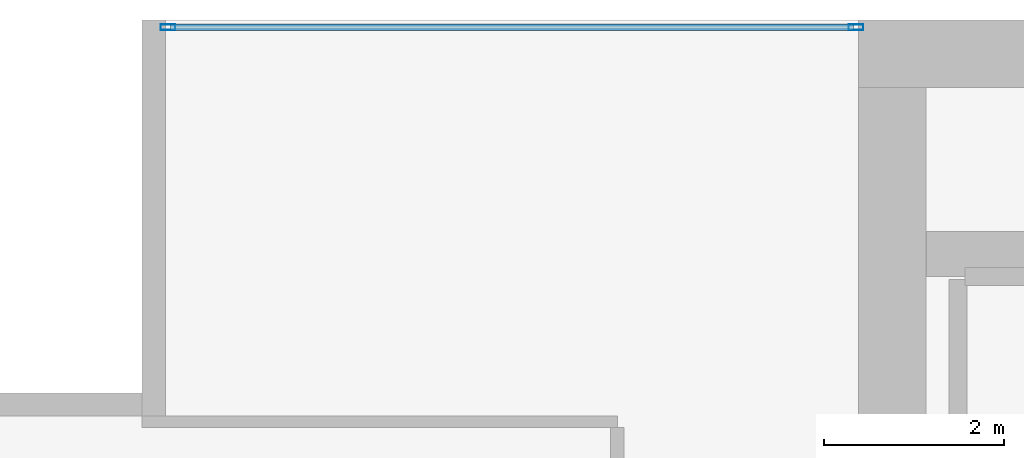
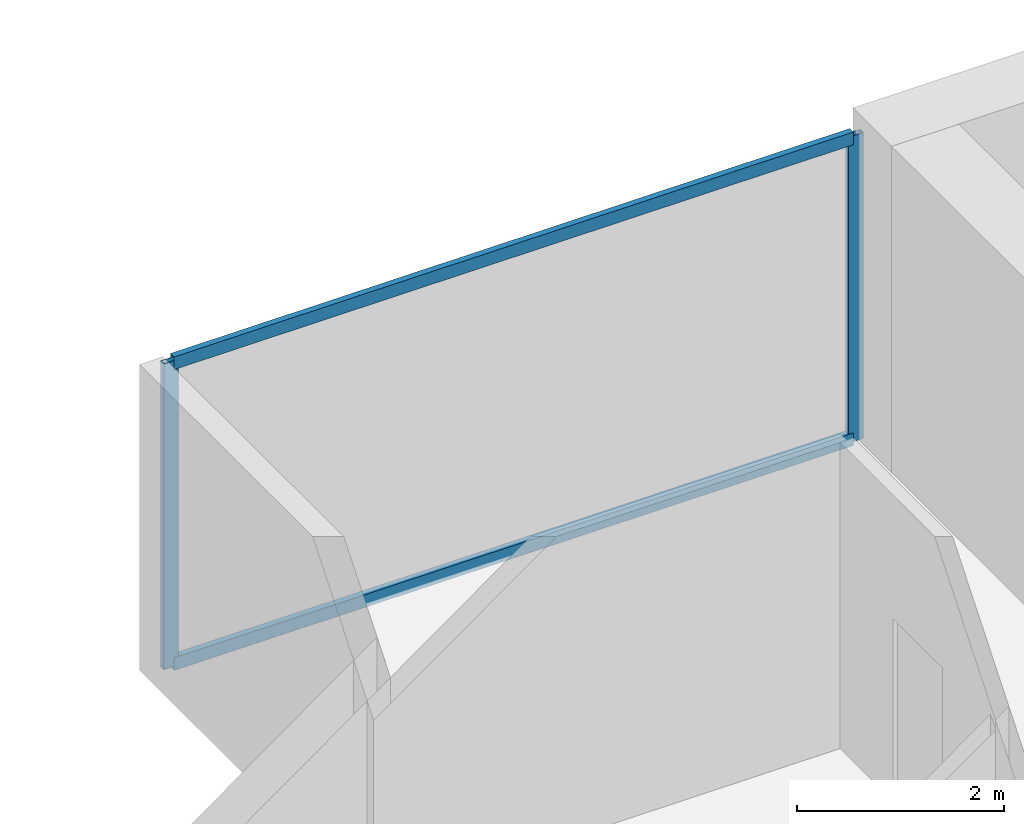
# One storey, part 22 of 34: 4 members, 1 element without a shape of its own.
"""IFC4 building model written with IfcOpenShell, lengths in metres."""

import ifcopenshell
import ifcopenshell.guid

model = None  # the IFC model being written
_history = None  # IfcOwnerHistory: only IFC2X3 demands one
_inside = {}  # id of a spatial element -> (the spatial element, [elements in it])
_under = {}  # id of a project, library or spatial element -> (it, [spatial elements below it])
_declared = {}  # id of a project -> (the project, [libraries it declares])
_typed = {}  # id of a type object -> (the type object, [elements of that type])
_made_of = {}  # id of a material, layer set ... -> (it, [elements and type objects made of it])


def new_model(schema):
    """Start an empty IFC model of exactly this schema.

    Asked for "IFC4X3", IfcOpenShell would pick the latest addendum, in which some entities
    have other attributes; the version numbers below select the first issue.
    IFC2X3 requires an IfcOwnerHistory on every rooted entity: one is made here for all.
    """
    global model, _history
    if schema == "IFC4X3":
        model = ifcopenshell.file(schema_version=(4, 3, 0, 0))
    else:
        model = ifcopenshell.file(schema=schema)
    _inside.clear()
    _under.clear()
    _declared.clear()
    _typed.clear()
    _made_of.clear()
    _history = None
    if model.schema == "IFC2X3":
        org = make("IfcOrganization", Name="unknown")
        user = make(
            "IfcPersonAndOrganization",
            ThePerson=make("IfcPerson", FamilyName="unknown"),
            TheOrganization=org,
        )
        app = make(
            "IfcApplication",
            ApplicationDeveloper=org,
            Version="unknown",
            ApplicationFullName="unknown",
            ApplicationIdentifier="unknown",
        )
        _history = make(
            "IfcOwnerHistory",
            OwningUser=user,
            OwningApplication=app,
            ChangeAction="ADDED",
            CreationDate=0,
        )
    return model


def make(cls, **values):
    """One entity of the class cls with the attributes given. An attribute that is None is left unset."""
    return model.create_entity(
        cls, **{name: value for name, value in values.items() if value is not None}
    )


def rooted(cls, **values):
    """An entity with a GlobalId (a new one), such as an element, a storey or a relation."""
    return make(cls, GlobalId=ifcopenshell.guid.new(), OwnerHistory=_history, **values)


def si_unit(unit_type, name, prefix=None):
    """IfcSIUnit, for example si_unit("LENGTHUNIT", "METRE", prefix="MILLI")."""
    return make("IfcSIUnit", UnitType=unit_type, Prefix=prefix, Name=name)


def assignment(units):
    """IfcUnitAssignment: the units of a project."""
    return None if units is None else make("IfcUnitAssignment", Units=units)


def point(xyz):
    """IfcCartesianPoint."""
    return None if xyz is None else make("IfcCartesianPoint", Coordinates=xyz)


def direction(xyz):
    """IfcDirection."""
    return None if xyz is None else make("IfcDirection", DirectionRatios=xyz)


def frame(location, z_axis=None, x_axis=None):
    """IfcAxis2Placement3D, a coordinate frame: its origin and axes. An axis left out is left unset."""
    return make(
        "IfcAxis2Placement3D",
        Location=point(location),
        Axis=direction(z_axis),
        RefDirection=direction(x_axis),
    )


def frame_2d(location, x_axis=None):
    """IfcAxis2Placement2D, a coordinate frame in the plane: its origin and x axis."""
    return make(
        "IfcAxis2Placement2D", Location=point(location), RefDirection=direction(x_axis)
    )


def origin():
    """The frame at (0, 0, 0) with its axes left unset."""
    return frame((0.0, 0.0, 0.0))


def origin_2d():
    """The frame at (0, 0) in the plane with its x axis left unset."""
    return frame_2d((0.0, 0.0))


def place(relative_to, where):
    """IfcLocalPlacement: puts the frame where relative to a parent placement (None: the world)."""
    return make(
        "IfcLocalPlacement", PlacementRelTo=relative_to, RelativePlacement=where
    )


def context(
    kind, dimensions, precision=None, world=None, true_north=None, identifier=None
):
    """IfcGeometricRepresentationContext, for example the 3D "Model" context."""
    return make(
        "IfcGeometricRepresentationContext",
        ContextIdentifier=identifier,
        ContextType=kind,
        CoordinateSpaceDimension=dimensions,
        Precision=precision,
        WorldCoordinateSystem=world,
        TrueNorth=true_north,
    )


def subcontext(parent, identifier, kind, view, scale=None):
    """IfcGeometricRepresentationSubContext, for example "Body" below "Model"."""
    return make(
        "IfcGeometricRepresentationSubContext",
        ContextIdentifier=identifier,
        ContextType=kind,
        ParentContext=parent,
        TargetScale=scale,
        TargetView=view,
    )


def project(units=None, contexts=None):
    """IfcProject with its units and contexts."""
    return rooted(
        "IfcProject",
        Name="project",
        RepresentationContexts=contexts,
        UnitsInContext=assignment(units),
    )


def spatial(cls, under=None, at=None, **own):
    """A site, building, storey or space (cls), placed at a placement, below another one or the project."""
    s = rooted(cls, ObjectPlacement=at, **own)
    if under is not None:
        _under.setdefault(under.id(), (under, []))[1].append(s)
    return s


def profile(cls, at=None, kind="AREA", **sizes):
    """A parametric profile (cls). Its sizes go by their IFC names, for example OverallWidth=200.0."""
    return make(cls, ProfileType=kind, Position=at, **sizes)


def hollow_rectangle(**sizes):
    """IfcRectangleHollowProfileDef."""
    return profile("IfcRectangleHollowProfileDef", **sizes)


def extrude(swept, where, along, depth):
    """IfcExtrudedAreaSolid: the profile swept, set in the frame where, extruded along a direction by depth."""
    return make(
        "IfcExtrudedAreaSolid",
        SweptArea=swept,
        Position=where,
        ExtrudedDirection=direction(along),
        Depth=depth,
    )


def shape(context_of_items, identifier, shape_type, items):
    """IfcShapeRepresentation: the items that make up one representation, for example the "Body"."""
    return make(
        "IfcShapeRepresentation",
        ContextOfItems=context_of_items,
        RepresentationIdentifier=identifier,
        RepresentationType=shape_type,
        Items=items,
    )


def material(Name=None, Category=None):
    """IfcMaterial."""
    return make("IfcMaterial", Name=Name, Category=Category)


def layer(
    of_material, thickness, ventilated=None, Name=None, Category=None, Priority=None
):
    """IfcMaterialLayer: one layer of a wall or slab, of a material (None: an air gap)."""
    return make(
        "IfcMaterialLayer",
        Material=of_material,
        LayerThickness=thickness,
        IsVentilated=ventilated,
        Name=Name,
        Category=Category,
        Priority=Priority,
    )


def layer_set(layers, Name=None):
    """IfcMaterialLayerSet."""
    return make("IfcMaterialLayerSet", MaterialLayers=layers, LayerSetName=Name)


def material_profile(
    of_material, cross_section, Name=None, Category=None, Priority=None
):
    """IfcMaterialProfile: a cross section and its material."""
    return make(
        "IfcMaterialProfile",
        Name=Name,
        Material=of_material,
        Profile=cross_section,
        Priority=Priority,
        Category=Category,
    )


def profile_set(profiles, Name=None, composite=None):
    """IfcMaterialProfileSet."""
    return make(
        "IfcMaterialProfileSet",
        Name=Name,
        MaterialProfiles=profiles,
        CompositeProfile=composite,
    )


def made_of(thing, what):
    """Note that an element or type object is made of a material, layer set ...; save() writes the relation."""
    if what is not None:
        _made_of.setdefault(what.id(), (what, []))[1].append(thing)
    return thing


def type_object(cls, material=None, **own):
    """A type object (cls), such as IfcWallType, which elements share."""
    return made_of(rooted(cls, **own), material)


def element(
    cls,
    number,
    at=None,
    inside=None,
    cuts=None,
    type_object=None,
    material=None,
    context=None,
    identifier="Body",
    shape_type=None,
    held_by="IfcProductDefinitionShape",
    body=None,
    shapes=None,
    **own,
):
    """One element of the class cls, such as IfcWall. Its Tag is "e" and its number.

    at: its placement. inside: the storey or other place that contains it. cuts: it is an
    opening in that element (IfcRelVoidsElement). A single representation is given by context,
    identifier, shape_type and body (its items); several are given by shapes. held_by: the class
    of the entity that holds the representations. save() writes the other relations.
    """
    e = rooted(cls, Tag="e%d" % number, ObjectPlacement=at, **own)
    if body is not None:
        shapes = [shape(context, identifier, shape_type, body)]
    if shapes is not None:
        e.Representation = make(held_by, Representations=shapes)
    if inside is not None:
        _inside.setdefault(inside.id(), (inside, []))[1].append(e)
    if cuts is not None:
        rooted(
            "IfcRelVoidsElement", RelatingBuildingElement=cuts, RelatedOpeningElement=e
        )
    if type_object is not None:
        _typed.setdefault(type_object.id(), (type_object, []))[1].append(e)
    return made_of(e, material)


def aggregate(whole, parts):
    """IfcRelAggregates: a whole, such as a stair, and the parts it consists of."""
    return rooted("IfcRelAggregates", RelatingObject=whole, RelatedObjects=parts)


def save(model, path):
    """Write the relations noted so far, then the file.

    IfcRelAggregates (storeys below a building ...), IfcRelContainedInSpatialStructure (elements
    in a storey), IfcRelDefinesByType, IfcRelAssociatesMaterial and IfcRelDeclares: one each for
    every whole, place, type object, material and project.
    """
    for whole, parts in _under.values():
        aggregate(whole, parts)
    for where, things in _inside.values():
        rooted(
            "IfcRelContainedInSpatialStructure",
            RelatedElements=things,
            RelatingStructure=where,
        )
    for kind, things in _typed.values():
        rooted("IfcRelDefinesByType", RelatedObjects=things, RelatingType=kind)
    for what, things in _made_of.values():
        rooted("IfcRelAssociatesMaterial", RelatedObjects=things, RelatingMaterial=what)
    for by, libraries in _declared.values():
        rooted("IfcRelDeclares", RelatingContext=by, RelatedDefinitions=libraries)
    model.write(path)


model = new_model("IFC4")

# Units and contexts
model_context = context("Model", 3, precision=1e-05, world=origin(), true_north=direction((0.0, 1.0)))
body_context = subcontext(model_context, "Body", "Model", "MODEL_VIEW")
ifc_project = project(units=[si_unit("LENGTHUNIT", "METRE"), si_unit("AREAUNIT", "SQUARE_METRE"), si_unit("VOLUMEUNIT", "CUBIC_METRE"), si_unit("PLANEANGLEUNIT", "RADIAN"), si_unit("MASSUNIT", "GRAM", prefix="KILO")], contexts=[model_context])

# Site, building, storey
site_placement = place(None, origin())
site = spatial("IfcSite", under=ifc_project, at=site_placement, CompositionType="ELEMENT")
building_placement = place(site_placement, origin())
building = spatial("IfcBuilding", under=site, at=building_placement, Name="Maruvema Waterfront Hotel and Observation Tower", CompositionType="ELEMENT")
storey_placement = place(building_placement, frame((0.0, 0.0, 181.300048828125)))
storey = spatial("IfcBuildingStorey", under=building, at=storey_placement, Name="L44", CompositionType="ELEMENT", Elevation=181.300048828125)

# Curtain wall, members
ifc_material_1 = material(Name="Anodised bronze aluminium and solar-control low-E IGU", Category="aluminium")
ifc_layer = layer(ifc_material_1, 0.159912109375, Name="Zone 2 Amber Inner Thermal Curtain Wall System CW-03")
ifc_layer_set = layer_set([ifc_layer], Name="Anodised bronze aluminium and solar-control low-E IGU")
curtain_wall_type = type_object("IfcCurtainWallType", Name="Zone 2 Amber Inner Thermal Curtain Wall System CW-03", PredefinedType="USERDEFINED", material=ifc_layer_set)
curtain_wall_placement = place(storey_placement, origin())
curtain_wall = element("IfcCurtainWall", 1, at=curtain_wall_placement, inside=storey, type_object=curtain_wall_type, Name="L44 Curtain Wall CW-L44-NW", ObjectType="UNITISED CURTAIN WALL", PredefinedType="USERDEFINED")
ifc_material_2 = material(Name="Anodised architectural bronze aluminium", Category="aluminium")
ifc_material_profile_1 = material_profile(ifc_material_2, hollow_rectangle(XDim=0.070068359375, YDim=0.14990234375, WallThickness=0.00390625, at=origin_2d()), Name="ALU-T70x150")
ifc_profile_set_1 = profile_set([ifc_material_profile_1], Name="Anodised architectural bronze aluminium")
member_type_1 = type_object("IfcMemberType", Name="Curtain Wall Horizontal Transom ALU-T70x150", PredefinedType="USERDEFINED", material=ifc_profile_set_1)
member_1_placement = place(storey_placement, frame((25.139892578125, 53.919921875, 0.030029296875), z_axis=(-1.0, 0.0, 0.0), x_axis=(0.0, -1.0, 0.0)))
member_1 = element("IfcMember", 2, at=member_1_placement, type_object=member_type_1, Name="CW-03 transom 1.1", ObjectType="TRANSOM", PredefinedType="USERDEFINED", context=body_context, shape_type="SweptSolid", body=[
    extrude(hollow_rectangle(XDim=0.070068359375, YDim=0.14990234375, WallThickness=0.00390625, at=origin_2d()), origin(), (0.0, 0.0, 1.0), 7.579833984375),
])
member_2_placement = place(storey_placement, frame((25.139892578125, 53.919921875, 3.579833984375), z_axis=(-1.0, 0.0, 0.0), x_axis=(0.0, -1.0, 0.0)))
member_2 = element("IfcMember", 3, at=member_2_placement, type_object=member_type_1, Name="CW-03 transom 1.2", ObjectType="TRANSOM", PredefinedType="USERDEFINED", context=body_context, shape_type="SweptSolid", body=[
    extrude(hollow_rectangle(XDim=0.070068359375, YDim=0.14990234375, WallThickness=0.00390625, at=origin_2d()), origin(), (0.0, 0.0, 1.0), 7.579833984375),
])
ifc_material_3 = material(Name="Anodised architectural bronze aluminium", Category="aluminium")
ifc_material_profile_2 = material_profile(ifc_material_3, hollow_rectangle(XDim=0.06494140625, YDim=0.1650390625, WallThickness=0.00390625, at=origin_2d()), Name="ALU-M65x165")
ifc_profile_set_2 = profile_set([ifc_material_profile_2], Name="Anodised architectural bronze aluminium")
member_type_2 = type_object("IfcMemberType", Name="Curtain Wall Primary Mullion ALU-M65x165", PredefinedType="MULLION", material=ifc_profile_set_2)
member_3_placement = place(storey_placement, frame((25.169921875, 53.919921875, 0.0), z_axis=(0.0, 0.0, 1.0), x_axis=(0.0, -1.0, 0.0)))
member_3 = element("IfcMember", 4, at=member_3_placement, type_object=member_type_2, Name="CW-03 mullion 1", PredefinedType="MULLION", context=body_context, shape_type="SweptSolid", body=[
    extrude(hollow_rectangle(XDim=0.06494140625, YDim=0.1650390625, WallThickness=0.00390625, at=origin_2d()), origin(), (0.0, 0.0, 1.0), 3.60986328125),
])
member_4_placement = place(storey_placement, frame((17.530029296875, 53.919921875, 0.0), z_axis=(0.0, 0.0, 1.0), x_axis=(0.0, -1.0, 0.0)))
member_4 = element("IfcMember", 5, at=member_4_placement, type_object=member_type_2, Name="CW-03 mullion 2", PredefinedType="MULLION", context=body_context, shape_type="SweptSolid", body=[
    extrude(hollow_rectangle(XDim=0.06494140625, YDim=0.1650390625, WallThickness=0.00390625, at=origin_2d()), origin(), (0.0, 0.0, 1.0), 3.60986328125),
])
aggregate(curtain_wall, [member_3, member_4, member_1, member_2])

save(model, "model.ifc")
